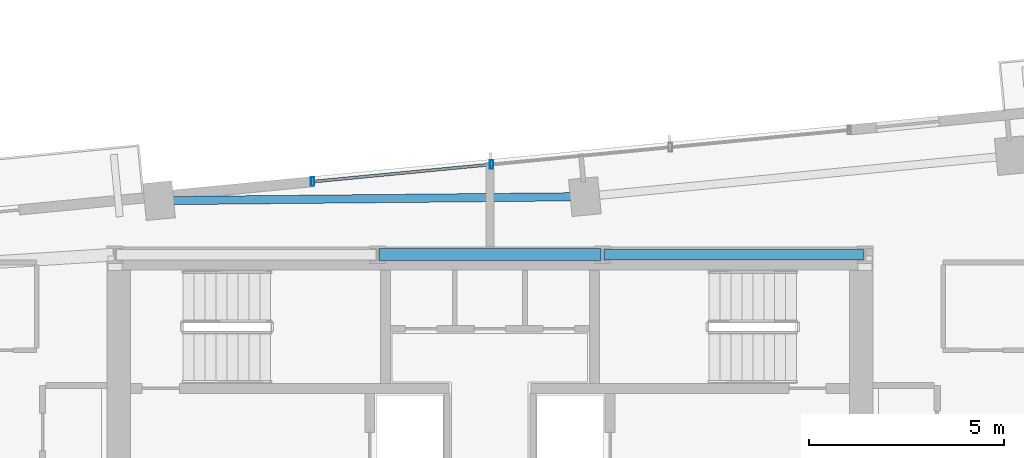
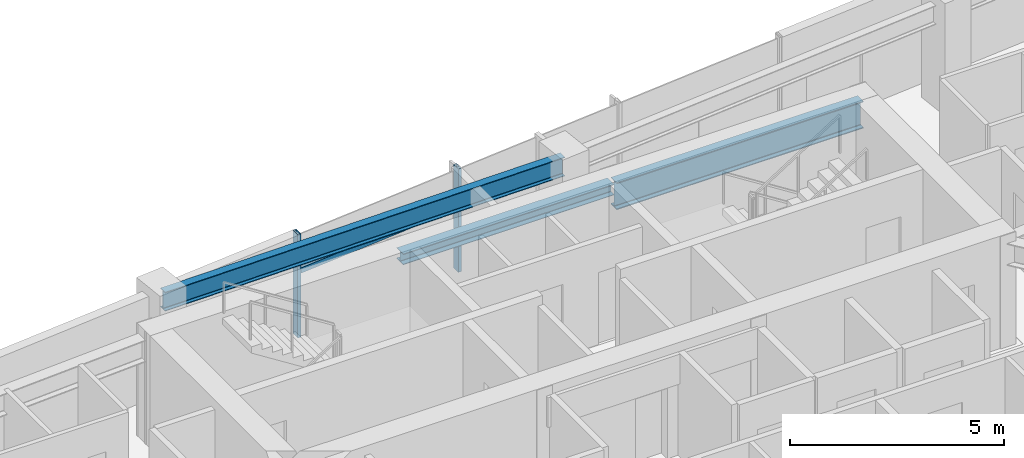
# One storey, part 6 of 18: 3 beams, 3 members, 1 element without a shape of its own.
"""IFC4 building model written with IfcOpenShell, lengths in metres."""

from ifc_helpers import new_model, si_unit, direction, frame, origin, origin_2d, place, context, subcontext, project, spatial, hollow_rectangle, i_section, extrude, source, transform, mapped, material, material_profile, profile_set, type_object, type_shapes, element, aggregate, save


model = new_model("IFC4")

# Units and contexts
model_context = context("Model", 3, precision=1e-05, world=origin(), true_north=direction((0.0, 1.0)))
body_context = subcontext(model_context, "Body", "Model", "MODEL_VIEW")
ifc_project = project(units=[si_unit("LENGTHUNIT", "METRE"), si_unit("AREAUNIT", "SQUARE_METRE"), si_unit("VOLUMEUNIT", "CUBIC_METRE"), si_unit("PLANEANGLEUNIT", "RADIAN"), si_unit("MASSUNIT", "GRAM", prefix="KILO")], contexts=[model_context])

# Site, building, storey
site_placement = place(None, origin())
site = spatial("IfcSite", under=ifc_project, at=site_placement, CompositionType="ELEMENT")
building_placement = place(site_placement, origin())
building = spatial("IfcBuilding", under=site, at=building_placement, Name="Astriad Promenade Condominiums", CompositionType="ELEMENT")
storey_placement = place(building_placement, frame((0.0, 0.0, 205.0)))
storey = spatial("IfcBuildingStorey", under=building, at=storey_placement, Name="L59", CompositionType="ELEMENT", Elevation=205.0)

# Beams
ifc_material_1 = material(Name="Steel ASTM A992 Grade 50", Category="steel")
ifc_material_profile_1 = material_profile(ifc_material_1, i_section(OverallWidth=0.267822265625, OverallDepth=0.76953125, WebThickness=0.015625, FlangeThickness=0.025390625, FilletRadius=0.021484375, at=origin_2d()), Name="W30X132")
ifc_profile_set_1 = profile_set([ifc_material_profile_1], Name="Steel ASTM A992 Grade 50")
beam_type_1 = type_object("IfcBeamType", Name="STEEL FLOOR GIRDER W30X132", PredefinedType="BEAM", material=ifc_profile_set_1)
shared_shape_1 = source(origin(), body_context, "Body", "SweptSolid", [
    extrude(i_section(OverallWidth=0.267822265625, OverallDepth=0.76953125, WebThickness=0.015625, FlangeThickness=0.025390625, FilletRadius=0.021484375, at=origin_2d()), origin(), (0.0, 0.0, 1.0), 6.64013671875),
])
type_shapes(beam_type_1, [shared_shape_1])
beam_1_placement = place(storey_placement, frame((38.919921875, 24.0, 2.55517578125), z_axis=(1.0, 0.0, 0.0), x_axis=(0.0, 1.0, 0.0)))
element("IfcBeam", 1, at=beam_1_placement, inside=storey, type_object=beam_type_1, Name="Core Ring Beam CG-N3-L59", PredefinedType="BEAM", context=body_context, shape_type="MappedRepresentation", body=[
    mapped(shared_shape_1, transform((0.0, 0.0, 0.0), scale=1.0)),
])
ifc_material_profile_2 = material_profile(ifc_material_1, i_section(OverallWidth=0.3046875, OverallDepth=0.307861328125, WebThickness=0.010009765625, FlangeThickness=0.015380859375, FilletRadius=0.01513671875, at=origin_2d()), Name="W12X65")
ifc_profile_set_2 = profile_set([ifc_material_profile_2], Name="Steel ASTM A992 Grade 50")
beam_type_2 = type_object("IfcBeamType", Name="STEEL OPENING LINTEL W12X65", PredefinedType="LINTEL", material=ifc_profile_set_2)
shared_shape_2 = source(origin(), body_context, "Body", "SweptSolid", [
    extrude(i_section(OverallWidth=0.3046875, OverallDepth=0.307861328125, WebThickness=0.010009765625, FlangeThickness=0.015380859375, FilletRadius=0.01513671875, at=origin_2d()), origin(), (0.0, 0.0, 1.0), 5.68017578125),
])
type_shapes(beam_type_2, [shared_shape_2])
beam_2_placement = place(storey_placement, frame((33.159912109375, 24.0, 2.7861328125), z_axis=(1.0, 0.0, 0.0), x_axis=(0.0, 1.0, 0.0)))
element("IfcBeam", 2, at=beam_2_placement, inside=storey, type_object=beam_type_2, Name="Core Ring Beam CG-N2-L59", PredefinedType="LINTEL", context=body_context, shape_type="MappedRepresentation", body=[
    mapped(shared_shape_2, transform((0.0, 0.0, 0.0), scale=1.0)),
])
ifc_material_profile_3 = material_profile(ifc_material_1, i_section(OverallWidth=0.210693359375, OverallDepth=0.53955078125, WebThickness=0.01171875, FlangeThickness=0.018798828125, FilletRadius=0.0166015625, at=origin_2d()), Name="W21X73")
ifc_profile_set_3 = profile_set([ifc_material_profile_3], Name="Steel ASTM A992 Grade 50")
beam_type_3 = type_object("IfcBeamType", Name="STEEL SPANDREL BEAM W21X73", PredefinedType="SPANDREL", material=ifc_profile_set_3)
shared_shape_3 = source(origin(), body_context, "Body", "SweptSolid", [
    extrude(i_section(OverallWidth=0.210693359375, OverallDepth=0.53955078125, WebThickness=0.01171875, FlangeThickness=0.018798828125, FilletRadius=0.0166015625, at=origin_2d()), origin(), (0.0, 0.0, 1.0), 10.820068359375),
])
type_shapes(beam_type_3, [shared_shape_3])
beam_3_placement = place(storey_placement, frame((38.391357421875, 25.482666015625, 2.67041015625), z_axis=(-0.999955308161, -0.009454188553, 0.0), x_axis=(0.009454188553, -0.999955308161, 0.0)))
element("IfcBeam", 3, at=beam_3_placement, inside=storey, type_object=beam_type_3, Name="Perimeter Spandrel Beam SP-N2-L59", PredefinedType="SPANDREL", context=body_context, shape_type="MappedRepresentation", body=[
    mapped(shared_shape_3, transform((0.0, 0.0, 0.0), scale=1.0)),
])

# Curtain wall, members
ifc_material_2 = material(Name="Anodised aluminium Black Dark Glass Unitised", Category="aluminium")
curtain_wall_type = type_object("IfcCurtainWallType", Name="CW-B34-DARK", PredefinedType="USERDEFINED", material=ifc_material_2)
curtain_wall_placement = place(storey_placement, origin())
curtain_wall = element("IfcCurtainWall", 4, at=curtain_wall_placement, inside=storey, type_object=curtain_wall_type, Name="CW-L59-N", ObjectType="UNITISED_CURTAIN_WALL", PredefinedType="USERDEFINED")
ifc_material_3 = material(Name="Anodised aluminium 6063-T6 Black", Category="aluminium")
ifc_material_profile_4 = material_profile(ifc_material_3, hollow_rectangle(XDim=0.0849609375, YDim=0.219970703125, WallThickness=0.0048828125, at=origin_2d()), Name="ALU-MUL-85X220")
ifc_profile_set_4 = profile_set([ifc_material_profile_4], Name="Anodised aluminium 6063-T6 Black")
member_type_1 = type_object("IfcMemberType", Name="MUL-ALU-MUL-85X220", PredefinedType="MULLION", material=ifc_profile_set_4)
shared_shape_4 = source(origin(), body_context, "Body", "SweptSolid", [
    extrude(hollow_rectangle(XDim=0.0849609375, YDim=0.219970703125, WallThickness=0.0048828125, at=origin_2d()), origin(), (0.0, 0.0, 1.0), 2.93994140625),
])
type_shapes(member_type_1, [shared_shape_4])
member_1_placement = place(storey_placement, frame((31.46240234375, 25.866943359375, 0.0), z_axis=(0.0, 0.0, 1.0), x_axis=(1.0, 0.0, 0.0)))
member_1 = element("IfcMember", 5, at=member_1_placement, type_object=member_type_1, Name="CW-L59-N-MUL-00", PredefinedType="MULLION", context=body_context, shape_type="MappedRepresentation", body=[
    mapped(shared_shape_4, transform((0.0, 0.0, 0.0), scale=1.0)),
])
member_2_placement = place(storey_placement, frame((36.041259765625, 26.307861328125, 0.0), z_axis=(0.0, 0.0, 1.0), x_axis=(1.0, 0.0, 0.0)))
member_2 = element("IfcMember", 6, at=member_2_placement, type_object=member_type_1, Name="CW-L59-N-MUL-01", PredefinedType="MULLION", context=body_context, shape_type="MappedRepresentation", body=[
    mapped(shared_shape_4, transform((0.0, 0.0, 0.0), scale=1.0)),
])
ifc_material_profile_5 = material_profile(ifc_material_3, hollow_rectangle(XDim=0.074951171875, YDim=0.14990234375, WallThickness=0.004150390625, at=origin_2d()), Name="ALU-TRN-75X150")
ifc_profile_set_5 = profile_set([ifc_material_profile_5], Name="Anodised aluminium 6063-T6 Black")
member_type_2 = type_object("IfcMemberType", Name="TRN-ALU-TRN-75X150", PredefinedType="USERDEFINED", material=ifc_profile_set_5)
shared_shape_5 = source(origin(), body_context, "Body", "SweptSolid", [
    extrude(hollow_rectangle(XDim=0.074951171875, YDim=0.14990234375, WallThickness=0.004150390625, at=origin_2d()), origin(), (0.0, 0.0, 1.0), 4.60009765625),
])
type_shapes(member_type_2, [shared_shape_5])
member_3_placement = place(storey_placement, frame((31.46240234375, 25.866943359375, 1.82275390625), z_axis=(0.995395697572, 0.095850953336, 0.0), x_axis=(-0.095850953336, 0.995395697572, 0.0)))
member_3 = element("IfcMember", 7, at=member_3_placement, type_object=member_type_2, Name="CW-L59-N-TRN-00-0", ObjectType="TRANSOM", PredefinedType="USERDEFINED", context=body_context, shape_type="MappedRepresentation", body=[
    mapped(shared_shape_5, transform((0.0, 0.0, 0.0), scale=1.0)),
])
aggregate(curtain_wall, [member_1, member_2, member_3])

save(model, "model.ifc")
